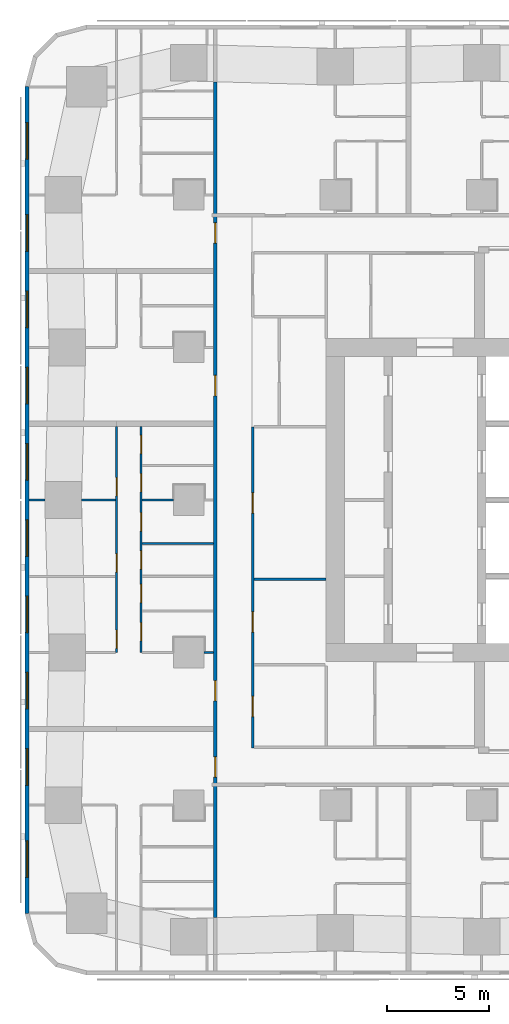
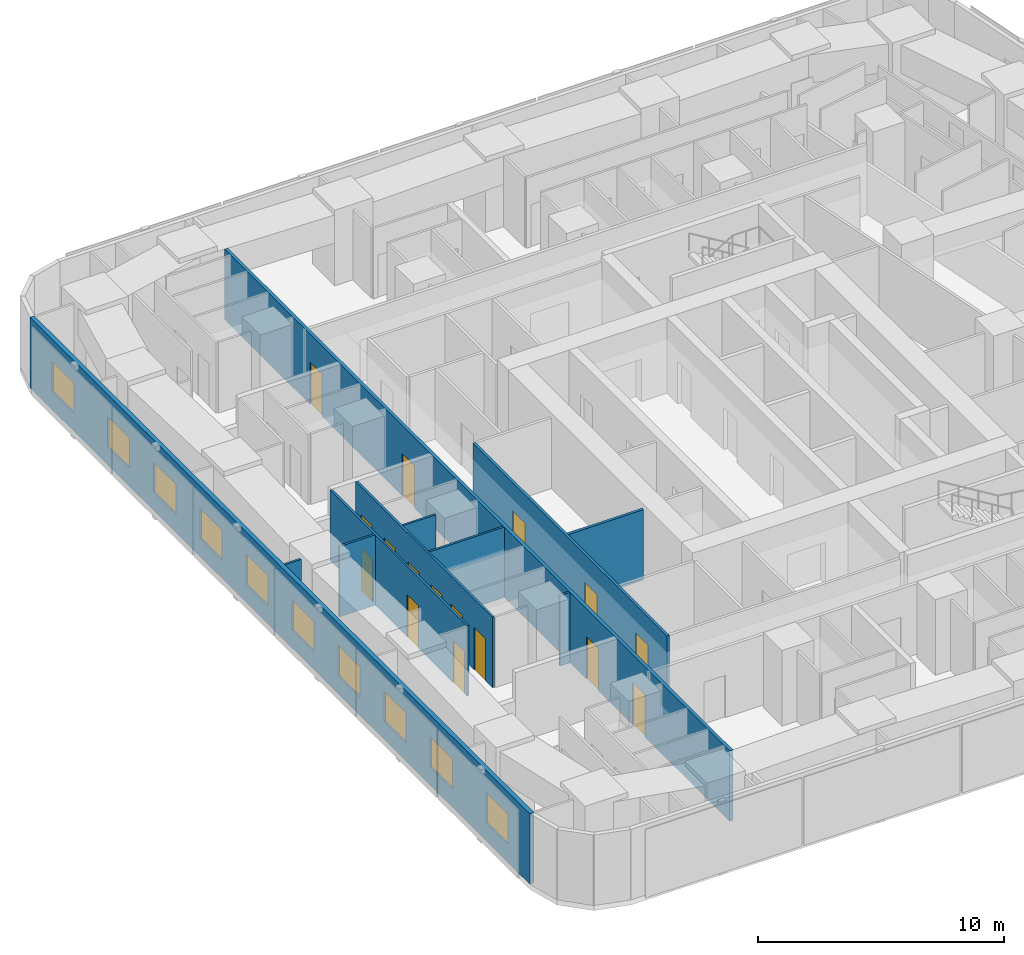
# One storey, part 5 of 15: 16 doors, 11 walls, 10 windows, 26 openings.
"""IFC4 building model written with IfcOpenShell, lengths in metres."""

from ifc_helpers import new_model, si_unit, direction, frame, frame_2d, origin, place, context, subcontext, project, spatial, rectangle, extrude, material, layer, layer_set, type_object, element, fill, save


model = new_model("IFC4")

# Units and contexts
model_context = context("Model", 3, precision=1e-05, world=origin(), true_north=direction((0.0, 1.0)))
body_context = subcontext(model_context, "Body", "Model", "MODEL_VIEW")
ifc_project = project(units=[si_unit("LENGTHUNIT", "METRE"), si_unit("AREAUNIT", "SQUARE_METRE"), si_unit("VOLUMEUNIT", "CUBIC_METRE"), si_unit("PLANEANGLEUNIT", "RADIAN"), si_unit("MASSUNIT", "GRAM", prefix="KILO")], contexts=[model_context])

# Site, building, storey
site_placement = place(None, origin())
site = spatial("IfcSite", under=ifc_project, at=site_placement, CompositionType="ELEMENT")
building_placement = place(site_placement, origin())
building = spatial("IfcBuilding", under=site, at=building_placement, Name="Sheger Commons Tower", CompositionType="ELEMENT")
storey_placement = place(building_placement, frame((0.0, 0.0, 139.550048828125)))
storey = spatial("IfcBuildingStorey", under=building, at=storey_placement, Name="L35", CompositionType="ELEMENT", Elevation=139.550048828125)

# Wall, openings, doors
ifc_material_1 = material(Name="Hollow concrete block masonry, skimmed both sides", Category="masonry")
ifc_layer_1 = layer(ifc_material_1, 0.14990234375)
ifc_layer_set_1 = layer_set([ifc_layer_1], Name="CORRIDOR WALL 150")
wall_type_1 = type_object("IfcWallType", Name="CORRIDOR WALL 150", PredefinedType="SOLIDWALL", material=ifc_layer_set_1)
wall_1_placement = place(storey_placement, frame((8.5, 1.964111328125, 0.0), z_axis=(0.0, 0.0, 1.0), x_axis=(0.0, 1.0, 0.0)))
wall_1 = element("IfcWall", 1, at=wall_1_placement, inside=storey, type_object=wall_type_1, Name="Corridor wall L35", PredefinedType="SOLIDWALL", context=body_context, shape_type="SweptSolid", body=[
    extrude(rectangle(XDim=41.096923828125, YDim=0.14990234375, at=frame_2d((20.54833984375, 0.0))), origin(), (0.0, 0.0, 1.0), 3.5),
])
opening_1_placement = place(wall_1_placement, frame((6.910888671875, 0.0, 0.0)))
opening_1 = element("IfcOpeningElement", 2, at=opening_1_placement, cuts=wall_1, Name="Opening D1", PredefinedType="OPENING", context=body_context, shape_type="SweptSolid", body=[
    extrude(rectangle(XDim=1.0, YDim=2.10009765625, at=frame_2d((0.5, 1.050048828125))), frame((0.0, 0.0849609375, 0.0), z_axis=(0.0, -1.0, 0.0), x_axis=(1.0, 0.0, 0.0)), (0.0, 0.0, 1.0), 0.169921875),
])
opening_2_placement = place(wall_1_placement, frame((10.660888671875, 0.0, 0.0)))
opening_2 = element("IfcOpeningElement", 3, at=opening_2_placement, cuts=wall_1, Name="Opening D1", PredefinedType="OPENING", context=body_context, shape_type="SweptSolid", body=[
    extrude(rectangle(XDim=1.0, YDim=2.10009765625, at=frame_2d((0.5, 1.050048828125))), frame((0.0, 0.0849609375, 0.0), z_axis=(0.0, -1.0, 0.0), x_axis=(1.0, 0.0, 0.0)), (0.0, 0.0, 1.0), 0.169921875),
])
opening_3_placement = place(wall_1_placement, frame((25.660888671875, 0.0, 0.0)))
opening_3 = element("IfcOpeningElement", 4, at=opening_3_placement, cuts=wall_1, Name="Opening D1", PredefinedType="OPENING", context=body_context, shape_type="SweptSolid", body=[
    extrude(rectangle(XDim=1.0, YDim=2.10009765625, at=frame_2d((0.5, 1.050048828125))), frame((0.0, 0.0849609375, 0.0), z_axis=(0.0, -1.0, 0.0), x_axis=(1.0, 0.0, 0.0)), (0.0, 0.0, 1.0), 0.169921875),
])
opening_4_placement = place(wall_1_placement, frame((33.160888671875, 0.0, 0.0)))
opening_4 = element("IfcOpeningElement", 5, at=opening_4_placement, cuts=wall_1, Name="Opening D1", PredefinedType="OPENING", context=body_context, shape_type="SweptSolid", body=[
    extrude(rectangle(XDim=1.0, YDim=2.10009765625, at=frame_2d((0.5, 1.050048828125))), frame((0.0, 0.0849609375, 0.0), z_axis=(0.0, -1.0, 0.0), x_axis=(1.0, 0.0, 0.0)), (0.0, 0.0, 1.0), 0.169921875),
])
ifc_material_2 = material(Name="Steel door set, fire rated", Category="steel")
door_type_1 = type_object("IfcDoorType", Name="FLAT ENTRANCE DOOR 1000x2100", OperationType="NOTDEFINED", PredefinedType="DOOR", material=ifc_material_2)
door_1_placement = place(opening_1_placement, origin())
door_1 = element("IfcDoor", 6, at=door_1_placement, inside=storey, type_object=door_type_1, Name="Flat entrance door", OperationType="SINGLE_SWING_LEFT", OverallHeight=2.10009765625, OverallWidth=1.0, PredefinedType="DOOR", context=body_context, shape_type="SweptSolid", body=[
    extrude(rectangle(XDim=1.0, YDim=2.10009765625, at=frame_2d((0.5, 1.050048828125))), frame((0.0, 0.02490234375, 0.0), z_axis=(0.0, -1.0, 0.0), x_axis=(1.0, 0.0, 0.0)), (0.0, 0.0, 1.0), 0.050048828125),
])
fill(opening_1, door_1)
door_2_placement = place(opening_2_placement, origin())
door_2 = element("IfcDoor", 7, at=door_2_placement, inside=storey, type_object=door_type_1, Name="Flat entrance door", OperationType="SINGLE_SWING_RIGHT", OverallHeight=2.10009765625, OverallWidth=1.0, PredefinedType="DOOR", context=body_context, shape_type="SweptSolid", body=[
    extrude(rectangle(XDim=1.0, YDim=2.10009765625, at=frame_2d((0.5, 1.050048828125))), frame((0.0, 0.02490234375, 0.0), z_axis=(0.0, -1.0, 0.0), x_axis=(1.0, 0.0, 0.0)), (0.0, 0.0, 1.0), 0.050048828125),
])
fill(opening_2, door_2)
door_3_placement = place(opening_3_placement, origin())
door_3 = element("IfcDoor", 8, at=door_3_placement, inside=storey, type_object=door_type_1, Name="Flat entrance door", OperationType="SINGLE_SWING_LEFT", OverallHeight=2.10009765625, OverallWidth=1.0, PredefinedType="DOOR", context=body_context, shape_type="SweptSolid", body=[
    extrude(rectangle(XDim=1.0, YDim=2.10009765625, at=frame_2d((0.5, 1.050048828125))), frame((0.0, 0.02490234375, 0.0), z_axis=(0.0, -1.0, 0.0), x_axis=(1.0, 0.0, 0.0)), (0.0, 0.0, 1.0), 0.050048828125),
])
fill(opening_3, door_3)
door_4_placement = place(opening_4_placement, origin())
door_4 = element("IfcDoor", 9, at=door_4_placement, inside=storey, type_object=door_type_1, Name="Flat entrance door", OperationType="SINGLE_SWING_RIGHT", OverallHeight=2.10009765625, OverallWidth=1.0, PredefinedType="DOOR", context=body_context, shape_type="SweptSolid", body=[
    extrude(rectangle(XDim=1.0, YDim=2.10009765625, at=frame_2d((0.5, 1.050048828125))), frame((0.0, 0.02490234375, 0.0), z_axis=(0.0, -1.0, 0.0), x_axis=(1.0, 0.0, 0.0)), (0.0, 0.0, 1.0), 0.050048828125),
])
fill(opening_4, door_4)

# Wall, openings, windows
ifc_material_3 = material(Name="Rendered concrete block masonry, dark grey", Category="masonry")
ifc_layer_2 = layer(ifc_material_3, 0.199951171875)
ifc_layer_set_2 = layer_set([ifc_layer_2], Name="FACADE WALL 200")
wall_type_2 = type_object("IfcWallType", Name="FACADE WALL 200", PredefinedType="SOLIDWALL", material=ifc_layer_set_2)
wall_2_placement = place(storey_placement, frame((-0.75, 42.8369140625, 0.0), z_axis=(0.0, 0.0, 1.0), x_axis=(0.0, -1.0, 0.0)))
wall_2 = element("IfcWall", 10, at=wall_2_placement, inside=storey, type_object=wall_type_2, Name="Facade wall L35", PredefinedType="SOLIDWALL", context=body_context, shape_type="SweptSolid", body=[
    extrude(rectangle(XDim=40.673828125, YDim=0.199951171875, at=frame_2d((20.3369140625, 0.0))), origin(), (0.0, 0.0, 1.0), 3.5),
])
opening_5_placement = place(wall_2_placement, frame((1.780029296875, 0.0, 0.89990234375)))
opening_5 = element("IfcOpeningElement", 11, at=opening_5_placement, cuts=wall_2, Name="Opening W2", PredefinedType="OPENING", context=body_context, shape_type="SweptSolid", body=[
    extrude(rectangle(XDim=1.800048828125, YDim=1.5, at=frame_2d((0.89990234375, 0.75))), frame((0.0, 0.10986328125, 0.0), z_axis=(0.0, -1.0, 0.0), x_axis=(1.0, 0.0, 0.0)), (0.0, 0.0, 1.0), 0.219970703125),
])
opening_6_placement = place(wall_2_placement, frame((6.31201171875, 0.0, 0.89990234375)))
opening_6 = element("IfcOpeningElement", 12, at=opening_6_placement, cuts=wall_2, Name="Opening W2", PredefinedType="OPENING", context=body_context, shape_type="SweptSolid", body=[
    extrude(rectangle(XDim=1.800048828125, YDim=1.5, at=frame_2d((0.89990234375, 0.75))), frame((0.0, 0.10986328125, 0.0), z_axis=(0.0, -1.0, 0.0), x_axis=(1.0, 0.0, 0.0)), (0.0, 0.0, 1.0), 0.219970703125),
])
opening_7_placement = place(wall_2_placement, frame((10.06201171875, 0.0, 0.89990234375)))
opening_7 = element("IfcOpeningElement", 13, at=opening_7_placement, cuts=wall_2, Name="Opening W2", PredefinedType="OPENING", context=body_context, shape_type="SweptSolid", body=[
    extrude(rectangle(XDim=1.800048828125, YDim=1.5, at=frame_2d((0.89990234375, 0.75))), frame((0.0, 0.10986328125, 0.0), z_axis=(0.0, -1.0, 0.0), x_axis=(1.0, 0.0, 0.0)), (0.0, 0.0, 1.0), 0.219970703125),
])
opening_8_placement = place(wall_2_placement, frame((13.81201171875, 0.0, 0.89990234375)))
opening_8 = element("IfcOpeningElement", 14, at=opening_8_placement, cuts=wall_2, Name="Opening W2", PredefinedType="OPENING", context=body_context, shape_type="SweptSolid", body=[
    extrude(rectangle(XDim=1.800048828125, YDim=1.5, at=frame_2d((0.89990234375, 0.75))), frame((0.0, 0.10986328125, 0.0), z_axis=(0.0, -1.0, 0.0), x_axis=(1.0, 0.0, 0.0)), (0.0, 0.0, 1.0), 0.219970703125),
])
opening_9_placement = place(wall_2_placement, frame((17.56201171875, 0.0, 0.89990234375)))
opening_9 = element("IfcOpeningElement", 15, at=opening_9_placement, cuts=wall_2, Name="Opening W2", PredefinedType="OPENING", context=body_context, shape_type="SweptSolid", body=[
    extrude(rectangle(XDim=1.800048828125, YDim=1.5, at=frame_2d((0.89990234375, 0.75))), frame((0.0, 0.10986328125, 0.0), z_axis=(0.0, -1.0, 0.0), x_axis=(1.0, 0.0, 0.0)), (0.0, 0.0, 1.0), 0.219970703125),
])
opening_10_placement = place(wall_2_placement, frame((21.31201171875, 0.0, 0.89990234375)))
opening_10 = element("IfcOpeningElement", 16, at=opening_10_placement, cuts=wall_2, Name="Opening W2", PredefinedType="OPENING", context=body_context, shape_type="SweptSolid", body=[
    extrude(rectangle(XDim=1.800048828125, YDim=1.5, at=frame_2d((0.89990234375, 0.75))), frame((0.0, 0.10986328125, 0.0), z_axis=(0.0, -1.0, 0.0), x_axis=(1.0, 0.0, 0.0)), (0.0, 0.0, 1.0), 0.219970703125),
])
opening_11_placement = place(wall_2_placement, frame((25.06201171875, 0.0, 0.89990234375)))
opening_11 = element("IfcOpeningElement", 17, at=opening_11_placement, cuts=wall_2, Name="Opening W2", PredefinedType="OPENING", context=body_context, shape_type="SweptSolid", body=[
    extrude(rectangle(XDim=1.800048828125, YDim=1.5, at=frame_2d((0.89990234375, 0.75))), frame((0.0, 0.10986328125, 0.0), z_axis=(0.0, -1.0, 0.0), x_axis=(1.0, 0.0, 0.0)), (0.0, 0.0, 1.0), 0.219970703125),
])
opening_12_placement = place(wall_2_placement, frame((28.81201171875, 0.0, 0.89990234375)))
opening_12 = element("IfcOpeningElement", 18, at=opening_12_placement, cuts=wall_2, Name="Opening W2", PredefinedType="OPENING", context=body_context, shape_type="SweptSolid", body=[
    extrude(rectangle(XDim=1.800048828125, YDim=1.5, at=frame_2d((0.89990234375, 0.75))), frame((0.0, 0.10986328125, 0.0), z_axis=(0.0, -1.0, 0.0), x_axis=(1.0, 0.0, 0.0)), (0.0, 0.0, 1.0), 0.219970703125),
])
opening_13_placement = place(wall_2_placement, frame((32.56201171875, 0.0, 0.89990234375)))
opening_13 = element("IfcOpeningElement", 19, at=opening_13_placement, cuts=wall_2, Name="Opening W2", PredefinedType="OPENING", context=body_context, shape_type="SweptSolid", body=[
    extrude(rectangle(XDim=1.800048828125, YDim=1.5, at=frame_2d((0.89990234375, 0.75))), frame((0.0, 0.10986328125, 0.0), z_axis=(0.0, -1.0, 0.0), x_axis=(1.0, 0.0, 0.0)), (0.0, 0.0, 1.0), 0.219970703125),
])
opening_14_placement = place(wall_2_placement, frame((37.093994140625, 0.0, 0.89990234375)))
opening_14 = element("IfcOpeningElement", 20, at=opening_14_placement, cuts=wall_2, Name="Opening W2", PredefinedType="OPENING", context=body_context, shape_type="SweptSolid", body=[
    extrude(rectangle(XDim=1.800048828125, YDim=1.5, at=frame_2d((0.89990234375, 0.75))), frame((0.0, 0.10986328125, 0.0), z_axis=(0.0, -1.0, 0.0), x_axis=(1.0, 0.0, 0.0)), (0.0, 0.0, 1.0), 0.219970703125),
])
ifc_material_4 = material(Name="Black aluminium frame, dark tinted double glazing", Category="aluminium")
window_type = type_object("IfcWindowType", Name="WINDOW W2 1800x1500", PartitioningType="SINGLE_PANEL", PredefinedType="WINDOW", material=ifc_material_4)
window_1_placement = place(opening_5_placement, origin())
window_1 = element("IfcWindow", 21, at=window_1_placement, inside=storey, type_object=window_type, Name="Window W2 1800X1500", OverallHeight=1.5, OverallWidth=1.800048828125, PartitioningType="SINGLE_PANEL", PredefinedType="WINDOW", context=body_context, shape_type="SweptSolid", body=[
    extrude(rectangle(XDim=1.800048828125, YDim=1.5, at=frame_2d((0.89990234375, 0.75))), frame((0.0, 0.030029296875, 0.0), z_axis=(0.0, -1.0, 0.0), x_axis=(1.0, 0.0, 0.0)), (0.0, 0.0, 1.0), 0.06005859375),
])
fill(opening_5, window_1)
window_2_placement = place(opening_6_placement, origin())
window_2 = element("IfcWindow", 22, at=window_2_placement, inside=storey, type_object=window_type, Name="Window W2 1800X1500", OverallHeight=1.5, OverallWidth=1.800048828125, PartitioningType="SINGLE_PANEL", PredefinedType="WINDOW", context=body_context, shape_type="SweptSolid", body=[
    extrude(rectangle(XDim=1.800048828125, YDim=1.5, at=frame_2d((0.89990234375, 0.75))), frame((0.0, 0.030029296875, 0.0), z_axis=(0.0, -1.0, 0.0), x_axis=(1.0, 0.0, 0.0)), (0.0, 0.0, 1.0), 0.06005859375),
])
fill(opening_6, window_2)
window_3_placement = place(opening_7_placement, origin())
window_3 = element("IfcWindow", 23, at=window_3_placement, inside=storey, type_object=window_type, Name="Window W2 1800X1500", OverallHeight=1.5, OverallWidth=1.800048828125, PartitioningType="SINGLE_PANEL", PredefinedType="WINDOW", context=body_context, shape_type="SweptSolid", body=[
    extrude(rectangle(XDim=1.800048828125, YDim=1.5, at=frame_2d((0.89990234375, 0.75))), frame((0.0, 0.030029296875, 0.0), z_axis=(0.0, -1.0, 0.0), x_axis=(1.0, 0.0, 0.0)), (0.0, 0.0, 1.0), 0.06005859375),
])
fill(opening_7, window_3)
window_4_placement = place(opening_8_placement, origin())
window_4 = element("IfcWindow", 24, at=window_4_placement, inside=storey, type_object=window_type, Name="Window W2 1800X1500", OverallHeight=1.5, OverallWidth=1.800048828125, PartitioningType="SINGLE_PANEL", PredefinedType="WINDOW", context=body_context, shape_type="SweptSolid", body=[
    extrude(rectangle(XDim=1.800048828125, YDim=1.5, at=frame_2d((0.89990234375, 0.75))), frame((0.0, 0.030029296875, 0.0), z_axis=(0.0, -1.0, 0.0), x_axis=(1.0, 0.0, 0.0)), (0.0, 0.0, 1.0), 0.06005859375),
])
fill(opening_8, window_4)
window_5_placement = place(opening_9_placement, origin())
window_5 = element("IfcWindow", 25, at=window_5_placement, inside=storey, type_object=window_type, Name="Window W2 1800X1500", OverallHeight=1.5, OverallWidth=1.800048828125, PartitioningType="SINGLE_PANEL", PredefinedType="WINDOW", context=body_context, shape_type="SweptSolid", body=[
    extrude(rectangle(XDim=1.800048828125, YDim=1.5, at=frame_2d((0.89990234375, 0.75))), frame((0.0, 0.030029296875, 0.0), z_axis=(0.0, -1.0, 0.0), x_axis=(1.0, 0.0, 0.0)), (0.0, 0.0, 1.0), 0.06005859375),
])
fill(opening_9, window_5)
window_6_placement = place(opening_10_placement, origin())
window_6 = element("IfcWindow", 26, at=window_6_placement, inside=storey, type_object=window_type, Name="Window W2 1800X1500", OverallHeight=1.5, OverallWidth=1.800048828125, PartitioningType="SINGLE_PANEL", PredefinedType="WINDOW", context=body_context, shape_type="SweptSolid", body=[
    extrude(rectangle(XDim=1.800048828125, YDim=1.5, at=frame_2d((0.89990234375, 0.75))), frame((0.0, 0.030029296875, 0.0), z_axis=(0.0, -1.0, 0.0), x_axis=(1.0, 0.0, 0.0)), (0.0, 0.0, 1.0), 0.06005859375),
])
fill(opening_10, window_6)
window_7_placement = place(opening_11_placement, origin())
window_7 = element("IfcWindow", 27, at=window_7_placement, inside=storey, type_object=window_type, Name="Window W2 1800X1500", OverallHeight=1.5, OverallWidth=1.800048828125, PartitioningType="SINGLE_PANEL", PredefinedType="WINDOW", context=body_context, shape_type="SweptSolid", body=[
    extrude(rectangle(XDim=1.800048828125, YDim=1.5, at=frame_2d((0.89990234375, 0.75))), frame((0.0, 0.030029296875, 0.0), z_axis=(0.0, -1.0, 0.0), x_axis=(1.0, 0.0, 0.0)), (0.0, 0.0, 1.0), 0.06005859375),
])
fill(opening_11, window_7)
window_8_placement = place(opening_12_placement, origin())
window_8 = element("IfcWindow", 28, at=window_8_placement, inside=storey, type_object=window_type, Name="Window W2 1800X1500", OverallHeight=1.5, OverallWidth=1.800048828125, PartitioningType="SINGLE_PANEL", PredefinedType="WINDOW", context=body_context, shape_type="SweptSolid", body=[
    extrude(rectangle(XDim=1.800048828125, YDim=1.5, at=frame_2d((0.89990234375, 0.75))), frame((0.0, 0.030029296875, 0.0), z_axis=(0.0, -1.0, 0.0), x_axis=(1.0, 0.0, 0.0)), (0.0, 0.0, 1.0), 0.06005859375),
])
fill(opening_12, window_8)
window_9_placement = place(opening_13_placement, origin())
window_9 = element("IfcWindow", 29, at=window_9_placement, inside=storey, type_object=window_type, Name="Window W2 1800X1500", OverallHeight=1.5, OverallWidth=1.800048828125, PartitioningType="SINGLE_PANEL", PredefinedType="WINDOW", context=body_context, shape_type="SweptSolid", body=[
    extrude(rectangle(XDim=1.800048828125, YDim=1.5, at=frame_2d((0.89990234375, 0.75))), frame((0.0, 0.030029296875, 0.0), z_axis=(0.0, -1.0, 0.0), x_axis=(1.0, 0.0, 0.0)), (0.0, 0.0, 1.0), 0.06005859375),
])
fill(opening_13, window_9)
window_10_placement = place(opening_14_placement, origin())
window_10 = element("IfcWindow", 30, at=window_10_placement, inside=storey, type_object=window_type, Name="Window W2 1800X1500", OverallHeight=1.5, OverallWidth=1.800048828125, PartitioningType="SINGLE_PANEL", PredefinedType="WINDOW", context=body_context, shape_type="SweptSolid", body=[
    extrude(rectangle(XDim=1.800048828125, YDim=1.5, at=frame_2d((0.89990234375, 0.75))), frame((0.0, 0.030029296875, 0.0), z_axis=(0.0, -1.0, 0.0), x_axis=(1.0, 0.0, 0.0)), (0.0, 0.0, 1.0), 0.06005859375),
])
fill(opening_14, window_10)

# Wall, openings, doors
ifc_material_5 = material(Name="Gypsum board on steel studs", Category="steel")
ifc_layer_3 = layer(ifc_material_5, 0.10009765625)
ifc_layer_set_3 = layer_set([ifc_layer_3], Name="PARTITION 100")
wall_type_3 = type_object("IfcWallType", Name="PARTITION 100", PredefinedType="PARTITIONING", material=ifc_layer_set_3)
wall_3_placement = place(storey_placement, frame((3.64990234375, 15.0, 0.0), z_axis=(0.0, 0.0, 1.0), x_axis=(0.0, 1.0, 0.0)))
wall_3 = element("IfcWall", 31, at=wall_3_placement, inside=storey, type_object=wall_type_3, Name="Partition L35", PredefinedType="PARTITIONING", context=body_context, shape_type="SweptSolid", body=[
    extrude(rectangle(XDim=11.125, YDim=0.10009765625, at=frame_2d((5.5625, 0.0))), origin(), (0.0, 0.0, 1.0), 3.5),
])
opening_15_placement = place(wall_3_placement, frame((0.199951171875, 0.0, 0.0)))
opening_15 = element("IfcOpeningElement", 32, at=opening_15_placement, cuts=wall_3, Name="Opening D2", PredefinedType="OPENING", context=body_context, shape_type="SweptSolid", body=[
    extrude(rectangle(XDim=0.89990234375, YDim=2.10009765625, at=frame_2d((0.449951171875, 1.050048828125))), frame((0.0, 0.06005859375, 0.0), z_axis=(0.0, -1.0, 0.0), x_axis=(1.0, 0.0, 0.0)), (0.0, 0.0, 1.0), 0.1201171875),
])
opening_16_placement = place(wall_3_placement, frame((3.949951171875, 0.0, 0.0)))
opening_16 = element("IfcOpeningElement", 33, at=opening_16_placement, cuts=wall_3, Name="Opening D2", PredefinedType="OPENING", context=body_context, shape_type="SweptSolid", body=[
    extrude(rectangle(XDim=0.89990234375, YDim=2.10009765625, at=frame_2d((0.449951171875, 1.050048828125))), frame((0.0, 0.06005859375, 0.0), z_axis=(0.0, -1.0, 0.0), x_axis=(1.0, 0.0, 0.0)), (0.0, 0.0, 1.0), 0.1201171875),
])
opening_17_placement = place(wall_3_placement, frame((7.699951171875, 0.0, 0.0)))
opening_17 = element("IfcOpeningElement", 34, at=opening_17_placement, cuts=wall_3, Name="Opening D2", PredefinedType="OPENING", context=body_context, shape_type="SweptSolid", body=[
    extrude(rectangle(XDim=0.89990234375, YDim=2.10009765625, at=frame_2d((0.449951171875, 1.050048828125))), frame((0.0, 0.06005859375, 0.0), z_axis=(0.0, -1.0, 0.0), x_axis=(1.0, 0.0, 0.0)), (0.0, 0.0, 1.0), 0.1201171875),
])
ifc_material_6 = material(Name="Timber door set", Category="wood")
door_type_2 = type_object("IfcDoorType", Name="INTERNAL DOOR 900x2100", OperationType="NOTDEFINED", PredefinedType="DOOR", material=ifc_material_6)
door_5_placement = place(opening_15_placement, origin())
door_5 = element("IfcDoor", 35, at=door_5_placement, inside=storey, type_object=door_type_2, Name="Main bedroom door", OperationType="SINGLE_SWING_LEFT", OverallHeight=2.10009765625, OverallWidth=0.89990234375, PredefinedType="DOOR", context=body_context, shape_type="SweptSolid", body=[
    extrude(rectangle(XDim=0.89990234375, YDim=2.10009765625, at=frame_2d((0.449951171875, 1.050048828125))), frame((0.0, 0.02490234375, 0.0), z_axis=(0.0, -1.0, 0.0), x_axis=(1.0, 0.0, 0.0)), (0.0, 0.0, 1.0), 0.050048828125),
])
fill(opening_15, door_5)
door_6_placement = place(opening_16_placement, origin())
door_6 = element("IfcDoor", 36, at=door_6_placement, inside=storey, type_object=door_type_2, Name="Bedroom 2 door", OperationType="SINGLE_SWING_LEFT", OverallHeight=2.10009765625, OverallWidth=0.89990234375, PredefinedType="DOOR", context=body_context, shape_type="SweptSolid", body=[
    extrude(rectangle(XDim=0.89990234375, YDim=2.10009765625, at=frame_2d((0.449951171875, 1.050048828125))), frame((0.0, 0.02490234375, 0.0), z_axis=(0.0, -1.0, 0.0), x_axis=(1.0, 0.0, 0.0)), (0.0, 0.0, 1.0), 0.050048828125),
])
fill(opening_16, door_6)
door_7_placement = place(opening_17_placement, origin())
door_7 = element("IfcDoor", 37, at=door_7_placement, inside=storey, type_object=door_type_2, Name="Bedroom 3 door", OperationType="SINGLE_SWING_LEFT", OverallHeight=2.10009765625, OverallWidth=0.89990234375, PredefinedType="DOOR", context=body_context, shape_type="SweptSolid", body=[
    extrude(rectangle(XDim=0.89990234375, YDim=2.10009765625, at=frame_2d((0.449951171875, 1.050048828125))), frame((0.0, 0.02490234375, 0.0), z_axis=(0.0, -1.0, 0.0), x_axis=(1.0, 0.0, 0.0)), (0.0, 0.0, 1.0), 0.050048828125),
])
fill(opening_17, door_7)

wall_4_placement = place(storey_placement, frame((4.85009765625, 15.0, 0.0), z_axis=(0.0, 0.0, 1.0), x_axis=(0.0, 1.0, 0.0)))
wall_4 = element("IfcWall", 38, at=wall_4_placement, inside=storey, type_object=wall_type_3, Name="Partition L35", PredefinedType="PARTITIONING", context=body_context, shape_type="SweptSolid", body=[
    extrude(rectangle(XDim=11.125, YDim=0.10009765625, at=frame_2d((5.5625, 0.0))), origin(), (0.0, 0.0, 1.0), 3.5),
])
opening_18_placement = place(wall_4_placement, frame((0.574951171875, 0.0, 0.0)))
opening_18 = element("IfcOpeningElement", 39, at=opening_18_placement, cuts=wall_4, Name="Opening D2", PredefinedType="OPENING", context=body_context, shape_type="SweptSolid", body=[
    extrude(rectangle(XDim=0.89990234375, YDim=2.10009765625, at=frame_2d((0.449951171875, 1.050048828125))), frame((0.0, 0.06005859375, 0.0), z_axis=(0.0, -1.0, 0.0), x_axis=(1.0, 0.0, 0.0)), (0.0, 0.0, 1.0), 0.1201171875),
])
opening_19_placement = place(wall_4_placement, frame((4.10009765625, 0.0, 0.0)))
opening_19 = element("IfcOpeningElement", 40, at=opening_19_placement, cuts=wall_4, Name="Opening D2", PredefinedType="OPENING", context=body_context, shape_type="SweptSolid", body=[
    extrude(rectangle(XDim=0.89990234375, YDim=2.10009765625, at=frame_2d((0.449951171875, 1.050048828125))), frame((0.0, 0.06005859375, 0.0), z_axis=(0.0, -1.0, 0.0), x_axis=(1.0, 0.0, 0.0)), (0.0, 0.0, 1.0), 0.1201171875),
])
opening_20_placement = place(wall_4_placement, frame((7.89990234375, 0.0, 0.0)))
opening_20 = element("IfcOpeningElement", 41, at=opening_20_placement, cuts=wall_4, Name="Opening D2", PredefinedType="OPENING", context=body_context, shape_type="SweptSolid", body=[
    extrude(rectangle(XDim=0.89990234375, YDim=2.10009765625, at=frame_2d((0.449951171875, 1.050048828125))), frame((0.0, 0.06005859375, 0.0), z_axis=(0.0, -1.0, 0.0), x_axis=(1.0, 0.0, 0.0)), (0.0, 0.0, 1.0), 0.1201171875),
])
opening_21_placement = place(wall_4_placement, frame((2.449951171875, 0.0, 0.0)))
opening_21 = element("IfcOpeningElement", 42, at=opening_21_placement, cuts=wall_4, Name="Opening D2", PredefinedType="OPENING", context=body_context, shape_type="SweptSolid", body=[
    extrude(rectangle(XDim=0.89990234375, YDim=2.10009765625, at=frame_2d((0.449951171875, 1.050048828125))), frame((0.0, 0.06005859375, 0.0), z_axis=(0.0, -1.0, 0.0), x_axis=(1.0, 0.0, 0.0)), (0.0, 0.0, 1.0), 0.1201171875),
])
opening_22_placement = place(wall_4_placement, frame((5.97509765625, 0.0, 0.0)))
opening_22 = element("IfcOpeningElement", 43, at=opening_22_placement, cuts=wall_4, Name="Opening D2", PredefinedType="OPENING", context=body_context, shape_type="SweptSolid", body=[
    extrude(rectangle(XDim=0.89990234375, YDim=2.10009765625, at=frame_2d((0.449951171875, 1.050048828125))), frame((0.0, 0.06005859375, 0.0), z_axis=(0.0, -1.0, 0.0), x_axis=(1.0, 0.0, 0.0)), (0.0, 0.0, 1.0), 0.1201171875),
])
opening_23_placement = place(wall_4_placement, frame((9.77490234375, 0.0, 0.0)))
opening_23 = element("IfcOpeningElement", 44, at=opening_23_placement, cuts=wall_4, Name="Opening D2", PredefinedType="OPENING", context=body_context, shape_type="SweptSolid", body=[
    extrude(rectangle(XDim=0.89990234375, YDim=2.10009765625, at=frame_2d((0.449951171875, 1.050048828125))), frame((0.0, 0.06005859375, 0.0), z_axis=(0.0, -1.0, 0.0), x_axis=(1.0, 0.0, 0.0)), (0.0, 0.0, 1.0), 0.1201171875),
])
door_8_placement = place(opening_18_placement, origin())
door_8 = element("IfcDoor", 45, at=door_8_placement, inside=storey, type_object=door_type_2, Name="Bathroom door", OperationType="SINGLE_SWING_RIGHT", OverallHeight=2.10009765625, OverallWidth=0.89990234375, PredefinedType="DOOR", context=body_context, shape_type="SweptSolid", body=[
    extrude(rectangle(XDim=0.89990234375, YDim=2.10009765625, at=frame_2d((0.449951171875, 1.050048828125))), frame((0.0, 0.02490234375, 0.0), z_axis=(0.0, -1.0, 0.0), x_axis=(1.0, 0.0, 0.0)), (0.0, 0.0, 1.0), 0.050048828125),
])
fill(opening_18, door_8)
door_9_placement = place(opening_19_placement, origin())
door_9 = element("IfcDoor", 46, at=door_9_placement, inside=storey, type_object=door_type_2, Name="Shower room door", OperationType="SINGLE_SWING_LEFT", OverallHeight=2.10009765625, OverallWidth=0.89990234375, PredefinedType="DOOR", context=body_context, shape_type="SweptSolid", body=[
    extrude(rectangle(XDim=0.89990234375, YDim=2.10009765625, at=frame_2d((0.449951171875, 1.050048828125))), frame((0.0, 0.02490234375, 0.0), z_axis=(0.0, -1.0, 0.0), x_axis=(1.0, 0.0, 0.0)), (0.0, 0.0, 1.0), 0.050048828125),
])
fill(opening_19, door_9)
door_10_placement = place(opening_20_placement, origin())
door_10 = element("IfcDoor", 47, at=door_10_placement, inside=storey, type_object=door_type_2, Name="Laundry room door", OperationType="SINGLE_SWING_LEFT", OverallHeight=2.10009765625, OverallWidth=0.89990234375, PredefinedType="DOOR", context=body_context, shape_type="SweptSolid", body=[
    extrude(rectangle(XDim=0.89990234375, YDim=2.10009765625, at=frame_2d((0.449951171875, 1.050048828125))), frame((0.0, 0.02490234375, 0.0), z_axis=(0.0, -1.0, 0.0), x_axis=(1.0, 0.0, 0.0)), (0.0, 0.0, 1.0), 0.050048828125),
])
fill(opening_20, door_10)
door_11_placement = place(opening_21_placement, origin())
door_11 = element("IfcDoor", 48, at=door_11_placement, inside=storey, type_object=door_type_2, Name="Store door", OperationType="SINGLE_SWING_RIGHT", OverallHeight=2.10009765625, OverallWidth=0.89990234375, PredefinedType="DOOR", context=body_context, shape_type="SweptSolid", body=[
    extrude(rectangle(XDim=0.89990234375, YDim=2.10009765625, at=frame_2d((0.449951171875, 1.050048828125))), frame((0.0, 0.02490234375, 0.0), z_axis=(0.0, -1.0, 0.0), x_axis=(1.0, 0.0, 0.0)), (0.0, 0.0, 1.0), 0.050048828125),
])
fill(opening_21, door_11)
door_12_placement = place(opening_22_placement, origin())
door_12 = element("IfcDoor", 49, at=door_12_placement, inside=storey, type_object=door_type_2, Name="Store door", OperationType="SINGLE_SWING_RIGHT", OverallHeight=2.10009765625, OverallWidth=0.89990234375, PredefinedType="DOOR", context=body_context, shape_type="SweptSolid", body=[
    extrude(rectangle(XDim=0.89990234375, YDim=2.10009765625, at=frame_2d((0.449951171875, 1.050048828125))), frame((0.0, 0.02490234375, 0.0), z_axis=(0.0, -1.0, 0.0), x_axis=(1.0, 0.0, 0.0)), (0.0, 0.0, 1.0), 0.050048828125),
])
fill(opening_22, door_12)
door_13_placement = place(opening_23_placement, origin())
door_13 = element("IfcDoor", 50, at=door_13_placement, inside=storey, type_object=door_type_2, Name="Store door", OperationType="SINGLE_SWING_LEFT", OverallHeight=2.10009765625, OverallWidth=0.89990234375, PredefinedType="DOOR", context=body_context, shape_type="SweptSolid", body=[
    extrude(rectangle(XDim=0.89990234375, YDim=2.10009765625, at=frame_2d((0.449951171875, 1.050048828125))), frame((0.0, 0.02490234375, 0.0), z_axis=(0.0, -1.0, 0.0), x_axis=(1.0, 0.0, 0.0)), (0.0, 0.0, 1.0), 0.050048828125),
])
fill(opening_23, door_13)

# Walls
wall_5_placement = place(storey_placement, frame((-0.64990234375, 22.5, 0.0), z_axis=(0.0, 0.0, 1.0), x_axis=(1.0, 0.0, 0.0)))
element("IfcWall", 51, at=wall_5_placement, inside=storey, type_object=wall_type_3, Name="Partition L35", PredefinedType="PARTITIONING", context=body_context, shape_type="SweptSolid", body=[
    extrude(rectangle(XDim=0.77392578125, YDim=0.10009765625, at=frame_2d((0.386962890625, 0.0))), origin(), (0.0, 0.0, 1.0), 3.5),
])
wall_6_placement = place(storey_placement, frame((1.926025390625, 22.5, 0.0), z_axis=(0.0, 0.0, 1.0), x_axis=(1.0, 0.0, 0.0)))
element("IfcWall", 52, at=wall_6_placement, inside=storey, type_object=wall_type_3, Name="Partition L35", PredefinedType="PARTITIONING", context=body_context, shape_type="SweptSolid", body=[
    extrude(rectangle(XDim=1.674072265625, YDim=0.10009765625, at=frame_2d((0.8369140625, 0.0))), origin(), (0.0, 0.0, 1.0), 3.5),
])
wall_7_placement = place(storey_placement, frame((7.950927734375, 15.0, 0.0), z_axis=(0.0, 0.0, 1.0), x_axis=(1.0, 0.0, 0.0)))
element("IfcWall", 53, at=wall_7_placement, inside=storey, type_object=wall_type_3, Name="Partition L35", PredefinedType="PARTITIONING", context=body_context, shape_type="SweptSolid", body=[
    extrude(rectangle(XDim=0.47412109375, YDim=0.10009765625, at=frame_2d((0.237060546875, 0.0))), origin(), (0.0, 0.0, 1.0), 3.5),
])
wall_8_placement = place(storey_placement, frame((4.89990234375, 22.5, 0.0), z_axis=(0.0, 0.0, 1.0), x_axis=(1.0, 0.0, 0.0)))
element("IfcWall", 54, at=wall_8_placement, inside=storey, type_object=wall_type_3, Name="Partition L35", PredefinedType="PARTITIONING", context=body_context, shape_type="SweptSolid", body=[
    extrude(rectangle(XDim=1.549072265625, YDim=0.10009765625, at=frame_2d((0.7744140625, 0.0))), origin(), (0.0, 0.0, 1.0), 3.5),
])
wall_9_placement = place(storey_placement, frame((4.89990234375, 20.35009765625, 0.0), z_axis=(0.0, 0.0, 1.0), x_axis=(1.0, 0.0, 0.0)))
element("IfcWall", 55, at=wall_9_placement, inside=storey, type_object=wall_type_3, Name="Partition L35", PredefinedType="PARTITIONING", context=body_context, shape_type="SweptSolid", body=[
    extrude(rectangle(XDim=3.525146484375, YDim=0.10009765625, at=frame_2d((1.7626953125, 0.0))), origin(), (0.0, 0.0, 1.0), 3.5),
])

# Wall, openings, doors
ifc_material_7 = material(Name="Gypsum board on steel studs, two layers each side, fire rated", Category="steel")
ifc_layer_4 = layer(ifc_material_7, 0.125)
ifc_layer_set_4 = layer_set([ifc_layer_4], Name="SERVICE WALL 125")
wall_type_4 = type_object("IfcWallType", Name="SERVICE WALL 125", PredefinedType="PARTITIONING", material=ifc_layer_set_4)
wall_10_placement = place(storey_placement, frame((10.35009765625, 10.300048828125, 0.0), z_axis=(0.0, 0.0, 1.0), x_axis=(0.0, 1.0, 0.0)))
wall_10 = element("IfcWall", 56, at=wall_10_placement, inside=storey, type_object=wall_type_4, Name="Service room wall L35", PredefinedType="PARTITIONING", context=body_context, shape_type="SweptSolid", body=[
    extrude(rectangle(XDim=15.800048828125, YDim=0.125, at=frame_2d((7.89990234375, 0.0))), origin(), (0.0, 0.0, 1.0), 3.5),
])
opening_24_placement = place(wall_10_placement, frame((1.550048828125, 0.0, 0.0)))
opening_24 = element("IfcOpeningElement", 57, at=opening_24_placement, cuts=wall_10, Name="Opening D4", PredefinedType="OPENING", context=body_context, shape_type="SweptSolid", body=[
    extrude(rectangle(XDim=1.0, YDim=2.10009765625, at=frame_2d((0.5, 1.050048828125))), frame((0.0, 0.072509765625, 0.0), z_axis=(0.0, -1.0, 0.0), x_axis=(1.0, 0.0, 0.0)), (0.0, 0.0, 1.0), 0.14501953125),
])
opening_25_placement = place(wall_10_placement, frame((5.699951171875, 0.0, 0.0)))
opening_25 = element("IfcOpeningElement", 58, at=opening_25_placement, cuts=wall_10, Name="Opening D4", PredefinedType="OPENING", context=body_context, shape_type="SweptSolid", body=[
    extrude(rectangle(XDim=1.0, YDim=2.10009765625, at=frame_2d((0.5, 1.050048828125))), frame((0.0, 0.072509765625, 0.0), z_axis=(0.0, -1.0, 0.0), x_axis=(1.0, 0.0, 0.0)), (0.0, 0.0, 1.0), 0.14501953125),
])
opening_26_placement = place(wall_10_placement, frame((11.550048828125, 0.0, 0.0)))
opening_26 = element("IfcOpeningElement", 59, at=opening_26_placement, cuts=wall_10, Name="Opening D4", PredefinedType="OPENING", context=body_context, shape_type="SweptSolid", body=[
    extrude(rectangle(XDim=1.0, YDim=2.10009765625, at=frame_2d((0.5, 1.050048828125))), frame((0.0, 0.072509765625, 0.0), z_axis=(0.0, -1.0, 0.0), x_axis=(1.0, 0.0, 0.0)), (0.0, 0.0, 1.0), 0.14501953125),
])
ifc_material_8 = material(Name="Steel door set, fire rated", Category="steel")
door_type_3 = type_object("IfcDoorType", Name="SERVICE DOOR 1000x2100", OperationType="NOTDEFINED", PredefinedType="DOOR", material=ifc_material_8)
door_14_placement = place(opening_24_placement, origin())
door_14 = element("IfcDoor", 60, at=door_14_placement, inside=storey, type_object=door_type_3, Name="Refuse chute room door", OperationType="SINGLE_SWING_RIGHT", OverallHeight=2.10009765625, OverallWidth=1.0, PredefinedType="DOOR", context=body_context, shape_type="SweptSolid", body=[
    extrude(rectangle(XDim=1.0, YDim=2.10009765625, at=frame_2d((0.5, 1.050048828125))), frame((0.0, 0.02490234375, 0.0), z_axis=(0.0, -1.0, 0.0), x_axis=(1.0, 0.0, 0.0)), (0.0, 0.0, 1.0), 0.050048828125),
])
fill(opening_24, door_14)
door_15_placement = place(opening_25_placement, origin())
door_15 = element("IfcDoor", 61, at=door_15_placement, inside=storey, type_object=door_type_3, Name="Recycling room door", OperationType="SINGLE_SWING_LEFT", OverallHeight=2.10009765625, OverallWidth=1.0, PredefinedType="DOOR", context=body_context, shape_type="SweptSolid", body=[
    extrude(rectangle(XDim=1.0, YDim=2.10009765625, at=frame_2d((0.5, 1.050048828125))), frame((0.0, 0.02490234375, 0.0), z_axis=(0.0, -1.0, 0.0), x_axis=(1.0, 0.0, 0.0)), (0.0, 0.0, 1.0), 0.050048828125),
])
fill(opening_25, door_15)
door_16_placement = place(opening_26_placement, origin())
door_16 = element("IfcDoor", 62, at=door_16_placement, inside=storey, type_object=door_type_3, Name="Bicycle and pram store door", OperationType="SINGLE_SWING_LEFT", OverallHeight=2.10009765625, OverallWidth=1.0, PredefinedType="DOOR", context=body_context, shape_type="SweptSolid", body=[
    extrude(rectangle(XDim=1.0, YDim=2.10009765625, at=frame_2d((0.5, 1.050048828125))), frame((0.0, 0.02490234375, 0.0), z_axis=(0.0, -1.0, 0.0), x_axis=(1.0, 0.0, 0.0)), (0.0, 0.0, 1.0), 0.050048828125),
])
fill(opening_26, door_16)

# Wall
wall_11_placement = place(storey_placement, frame((10.4130859375, 18.60009765625, 0.0), z_axis=(0.0, 0.0, 1.0), x_axis=(1.0, 0.0, 0.0)))
element("IfcWall", 63, at=wall_11_placement, inside=storey, type_object=wall_type_4, Name="Service room wall L35", PredefinedType="PARTITIONING", context=body_context, shape_type="SweptSolid", body=[
    extrude(rectangle(XDim=3.536865234375, YDim=0.125, at=frame_2d((1.7685546875, 0.0))), origin(), (0.0, 0.0, 1.0), 3.5),
])

save(model, "model.ifc")
